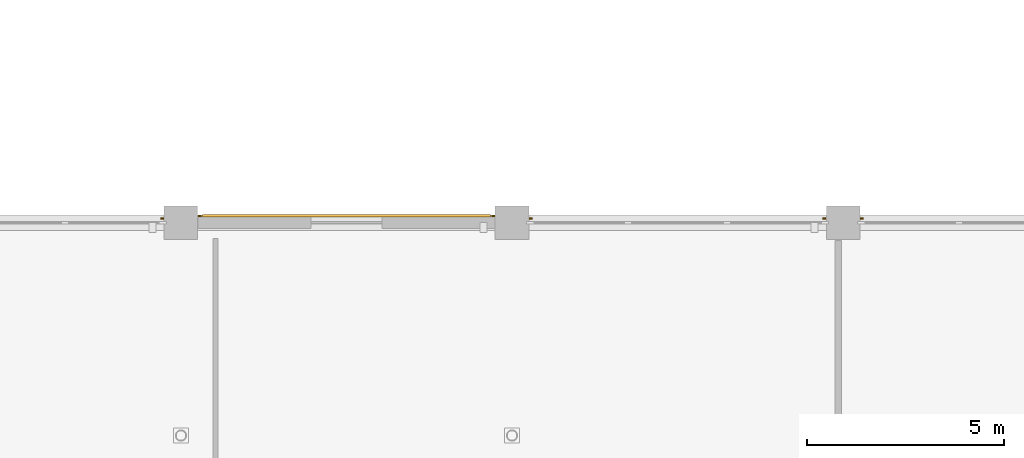
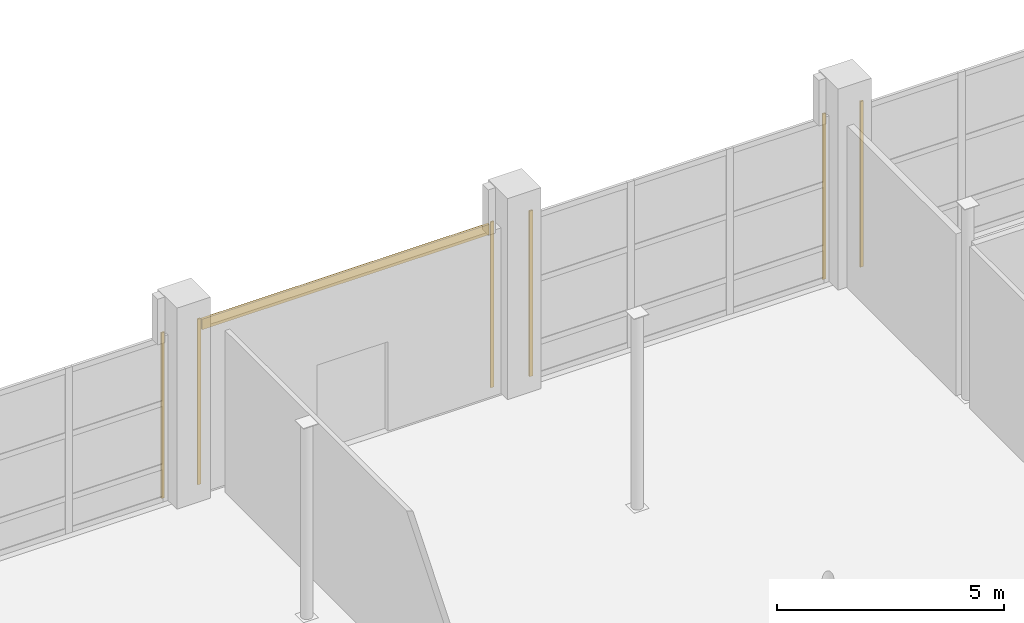
# One storey, part 138 of 140: 7 coverings.
"""IFC4 building model written with IfcOpenShell, lengths in metres."""

import ifcopenshell
import ifcopenshell.guid

model = None  # the IFC model being written
_history = None  # IfcOwnerHistory: only IFC2X3 demands one
_inside = {}  # id of a spatial element -> (the spatial element, [elements in it])
_under = {}  # id of a project, library or spatial element -> (it, [spatial elements below it])
_declared = {}  # id of a project -> (the project, [libraries it declares])
_typed = {}  # id of a type object -> (the type object, [elements of that type])
_made_of = {}  # id of a material, layer set ... -> (it, [elements and type objects made of it])


def new_model(schema):
    """Start an empty IFC model of exactly this schema.

    Asked for "IFC4X3", IfcOpenShell would pick the latest addendum, in which some entities
    have other attributes; the version numbers below select the first issue.
    IFC2X3 requires an IfcOwnerHistory on every rooted entity: one is made here for all.
    """
    global model, _history
    if schema == "IFC4X3":
        model = ifcopenshell.file(schema_version=(4, 3, 0, 0))
    else:
        model = ifcopenshell.file(schema=schema)
    _inside.clear()
    _under.clear()
    _declared.clear()
    _typed.clear()
    _made_of.clear()
    _history = None
    if model.schema == "IFC2X3":
        org = make("IfcOrganization", Name="unknown")
        user = make(
            "IfcPersonAndOrganization",
            ThePerson=make("IfcPerson", FamilyName="unknown"),
            TheOrganization=org,
        )
        app = make(
            "IfcApplication",
            ApplicationDeveloper=org,
            Version="unknown",
            ApplicationFullName="unknown",
            ApplicationIdentifier="unknown",
        )
        _history = make(
            "IfcOwnerHistory",
            OwningUser=user,
            OwningApplication=app,
            ChangeAction="ADDED",
            CreationDate=0,
        )
    return model


def make(cls, **values):
    """One entity of the class cls with the attributes given. An attribute that is None is left unset."""
    return model.create_entity(
        cls, **{name: value for name, value in values.items() if value is not None}
    )


def rooted(cls, **values):
    """An entity with a GlobalId (a new one), such as an element, a storey or a relation."""
    return make(cls, GlobalId=ifcopenshell.guid.new(), OwnerHistory=_history, **values)


def si_unit(unit_type, name, prefix=None):
    """IfcSIUnit, for example si_unit("LENGTHUNIT", "METRE", prefix="MILLI")."""
    return make("IfcSIUnit", UnitType=unit_type, Prefix=prefix, Name=name)


def assignment(units):
    """IfcUnitAssignment: the units of a project."""
    return None if units is None else make("IfcUnitAssignment", Units=units)


def point(xyz):
    """IfcCartesianPoint."""
    return None if xyz is None else make("IfcCartesianPoint", Coordinates=xyz)


def direction(xyz):
    """IfcDirection."""
    return None if xyz is None else make("IfcDirection", DirectionRatios=xyz)


def frame(location, z_axis=None, x_axis=None):
    """IfcAxis2Placement3D, a coordinate frame: its origin and axes. An axis left out is left unset."""
    return make(
        "IfcAxis2Placement3D",
        Location=point(location),
        Axis=direction(z_axis),
        RefDirection=direction(x_axis),
    )


def frame_2d(location, x_axis=None):
    """IfcAxis2Placement2D, a coordinate frame in the plane: its origin and x axis."""
    return make(
        "IfcAxis2Placement2D", Location=point(location), RefDirection=direction(x_axis)
    )


def origin():
    """The frame at (0, 0, 0) with its axes left unset."""
    return frame((0.0, 0.0, 0.0))


def origin_2d():
    """The frame at (0, 0) in the plane with its x axis left unset."""
    return frame_2d((0.0, 0.0))


def place(relative_to, where):
    """IfcLocalPlacement: puts the frame where relative to a parent placement (None: the world)."""
    return make(
        "IfcLocalPlacement", PlacementRelTo=relative_to, RelativePlacement=where
    )


def context(
    kind, dimensions, precision=None, world=None, true_north=None, identifier=None
):
    """IfcGeometricRepresentationContext, for example the 3D "Model" context."""
    return make(
        "IfcGeometricRepresentationContext",
        ContextIdentifier=identifier,
        ContextType=kind,
        CoordinateSpaceDimension=dimensions,
        Precision=precision,
        WorldCoordinateSystem=world,
        TrueNorth=true_north,
    )


def subcontext(parent, identifier, kind, view, scale=None):
    """IfcGeometricRepresentationSubContext, for example "Body" below "Model"."""
    return make(
        "IfcGeometricRepresentationSubContext",
        ContextIdentifier=identifier,
        ContextType=kind,
        ParentContext=parent,
        TargetScale=scale,
        TargetView=view,
    )


def project(units=None, contexts=None):
    """IfcProject with its units and contexts."""
    return rooted(
        "IfcProject",
        Name="project",
        RepresentationContexts=contexts,
        UnitsInContext=assignment(units),
    )


def spatial(cls, under=None, at=None, **own):
    """A site, building, storey or space (cls), placed at a placement, below another one or the project."""
    s = rooted(cls, ObjectPlacement=at, **own)
    if under is not None:
        _under.setdefault(under.id(), (under, []))[1].append(s)
    return s


def profile(cls, at=None, kind="AREA", **sizes):
    """A parametric profile (cls). Its sizes go by their IFC names, for example OverallWidth=200.0."""
    return make(cls, ProfileType=kind, Position=at, **sizes)


def rectangle(**sizes):
    """IfcRectangleProfileDef."""
    return profile("IfcRectangleProfileDef", **sizes)


def extrude(swept, where, along, depth):
    """IfcExtrudedAreaSolid: the profile swept, set in the frame where, extruded along a direction by depth."""
    return make(
        "IfcExtrudedAreaSolid",
        SweptArea=swept,
        Position=where,
        ExtrudedDirection=direction(along),
        Depth=depth,
    )


def shape(context_of_items, identifier, shape_type, items):
    """IfcShapeRepresentation: the items that make up one representation, for example the "Body"."""
    return make(
        "IfcShapeRepresentation",
        ContextOfItems=context_of_items,
        RepresentationIdentifier=identifier,
        RepresentationType=shape_type,
        Items=items,
    )


def material(Name=None, Category=None):
    """IfcMaterial."""
    return make("IfcMaterial", Name=Name, Category=Category)


def layer(
    of_material, thickness, ventilated=None, Name=None, Category=None, Priority=None
):
    """IfcMaterialLayer: one layer of a wall or slab, of a material (None: an air gap)."""
    return make(
        "IfcMaterialLayer",
        Material=of_material,
        LayerThickness=thickness,
        IsVentilated=ventilated,
        Name=Name,
        Category=Category,
        Priority=Priority,
    )


def layer_set(layers, Name=None):
    """IfcMaterialLayerSet."""
    return make("IfcMaterialLayerSet", MaterialLayers=layers, LayerSetName=Name)


def made_of(thing, what):
    """Note that an element or type object is made of a material, layer set ...; save() writes the relation."""
    if what is not None:
        _made_of.setdefault(what.id(), (what, []))[1].append(thing)
    return thing


def type_object(cls, material=None, **own):
    """A type object (cls), such as IfcWallType, which elements share."""
    return made_of(rooted(cls, **own), material)


def element(
    cls,
    number,
    at=None,
    inside=None,
    cuts=None,
    type_object=None,
    material=None,
    context=None,
    identifier="Body",
    shape_type=None,
    held_by="IfcProductDefinitionShape",
    body=None,
    shapes=None,
    **own,
):
    """One element of the class cls, such as IfcWall. Its Tag is "e" and its number.

    at: its placement. inside: the storey or other place that contains it. cuts: it is an
    opening in that element (IfcRelVoidsElement). A single representation is given by context,
    identifier, shape_type and body (its items); several are given by shapes. held_by: the class
    of the entity that holds the representations. save() writes the other relations.
    """
    e = rooted(cls, Tag="e%d" % number, ObjectPlacement=at, **own)
    if body is not None:
        shapes = [shape(context, identifier, shape_type, body)]
    if shapes is not None:
        e.Representation = make(held_by, Representations=shapes)
    if inside is not None:
        _inside.setdefault(inside.id(), (inside, []))[1].append(e)
    if cuts is not None:
        rooted(
            "IfcRelVoidsElement", RelatingBuildingElement=cuts, RelatedOpeningElement=e
        )
    if type_object is not None:
        _typed.setdefault(type_object.id(), (type_object, []))[1].append(e)
    return made_of(e, material)


def aggregate(whole, parts):
    """IfcRelAggregates: a whole, such as a stair, and the parts it consists of."""
    return rooted("IfcRelAggregates", RelatingObject=whole, RelatedObjects=parts)


def save(model, path):
    """Write the relations noted so far, then the file.

    IfcRelAggregates (storeys below a building ...), IfcRelContainedInSpatialStructure (elements
    in a storey), IfcRelDefinesByType, IfcRelAssociatesMaterial and IfcRelDeclares: one each for
    every whole, place, type object, material and project.
    """
    for whole, parts in _under.values():
        aggregate(whole, parts)
    for where, things in _inside.values():
        rooted(
            "IfcRelContainedInSpatialStructure",
            RelatedElements=things,
            RelatingStructure=where,
        )
    for kind, things in _typed.values():
        rooted("IfcRelDefinesByType", RelatedObjects=things, RelatingType=kind)
    for what, things in _made_of.values():
        rooted("IfcRelAssociatesMaterial", RelatedObjects=things, RelatingMaterial=what)
    for by, libraries in _declared.values():
        rooted("IfcRelDeclares", RelatingContext=by, RelatedDefinitions=libraries)
    model.write(path)


model = new_model("IFC4")

# Units and contexts
model_context = context("Model", 3, precision=1e-05, world=origin(), true_north=direction((0.0, 1.0)))
body_context = subcontext(model_context, "Body", "Model", "MODEL_VIEW")
ifc_project = project(units=[si_unit("LENGTHUNIT", "METRE"), si_unit("AREAUNIT", "SQUARE_METRE"), si_unit("VOLUMEUNIT", "CUBIC_METRE"), si_unit("PLANEANGLEUNIT", "RADIAN"), si_unit("MASSUNIT", "GRAM", prefix="KILO")], contexts=[model_context])

# Site, building, storey
site_placement = place(None, origin())
site = spatial("IfcSite", under=ifc_project, at=site_placement, CompositionType="ELEMENT")
building_placement = place(site_placement, origin())
building = spatial("IfcBuilding", under=site, at=building_placement, Name="Telukmera Botanical Conservatory", CompositionType="ELEMENT")
storey_placement = place(building_placement, origin())
storey = spatial("IfcBuildingStorey", under=building, at=storey_placement, Name="L00", CompositionType="ELEMENT", Elevation=0.0)

# Coverings
ifc_material_1 = material(Name="Granite-faced precast concrete C40/50", Category="masonry")
ifc_layer_1 = layer(ifc_material_1, 0.0400390625)
ifc_layer_set_1 = layer_set([ifc_layer_1], Name="Granite-faced precast concrete C40/50")
covering_type_1 = type_object("IfcCoveringType", Name="Granite Precast Column Pier Reveal Casing", PredefinedType="CLADDING", material=ifc_layer_set_1)
for number, where, z_axis, x_axis, name in (
    (1, (142.322998046875, 48.31005859375, 0.0), (0.0, 0.0, 1.0), (1.0, 0.0, 0.0), "Granite Pier Reveal V1:L00:N3 R"),
    (2, (143.277099609375, 48.3701171875, 0.0), (0.0, 0.0, 1.0), (1.0, 0.0, 0.0), "Granite Pier Reveal V1:L00:N4 L"),
    (3, (150.722900390625, 48.3701171875, 0.0), (0.0, 0.0, 1.0), (1.0, 0.0, 0.0), "Granite Pier Reveal V1:L00:N4 R"),
    (4, (151.677001953125, 48.31005859375, 0.0), (0.0, 0.0, 1.0), (1.0, 0.0, 0.0), "Granite Pier Reveal V1:L00:N5 L"),
    (5, (159.123046875, 48.31005859375, 0.0), (0.0, 0.0, 1.0), (1.0, 0.0, 0.0), "Granite Pier Reveal V1:L00:N5 R"),
    (6, (160.076904296875, 48.31005859375, 0.0), (0.0, 0.0, 1.0), (1.0, 0.0, 0.0), "Granite Pier Reveal V1:L00:N6 L"),
):
    element("IfcCovering", number, at=place(storey_placement, frame(where, z_axis=z_axis, x_axis=x_axis)), inside=storey, type_object=covering_type_1, Name=name, PredefinedType="CLADDING", context=body_context, shape_type="SweptSolid", body=[
        extrude(rectangle(XDim=0.080078125, YDim=0.0400390625, at=origin_2d()), origin(), (0.0, 0.0, 1.0), 4.449951171875),
    ])
ifc_material_2 = material(Name="Terracotta-faced precast concrete C40/50", Category="masonry")
ifc_layer_2 = layer(ifc_material_2, 0.06005859375)
ifc_layer_set_2 = layer_set([ifc_layer_2], Name="Terracotta-faced precast concrete C40/50")
covering_type_2 = type_object("IfcCoveringType", Name="Polychrome Terracotta Facade Band Cladding", PredefinedType="CLADDING", material=ifc_layer_set_2)
covering_placement = place(storey_placement, frame((147.0, 48.3798828125, 4.1298828125), z_axis=(0.0, 0.0, 1.0), x_axis=(1.0, 0.0, 0.0)))
element("IfcCovering", 7, at=covering_placement, inside=storey, type_object=covering_type_2, Name="Polychrome Terracotta Band V1:L00:N4", PredefinedType="CLADDING", context=body_context, shape_type="SweptSolid", body=[
    extrude(rectangle(XDim=7.305908203125, YDim=0.06005859375, at=origin_2d()), origin(), (0.0, 0.0, 1.0), 0.280029296875),
])

save(model, "model.ifc")
